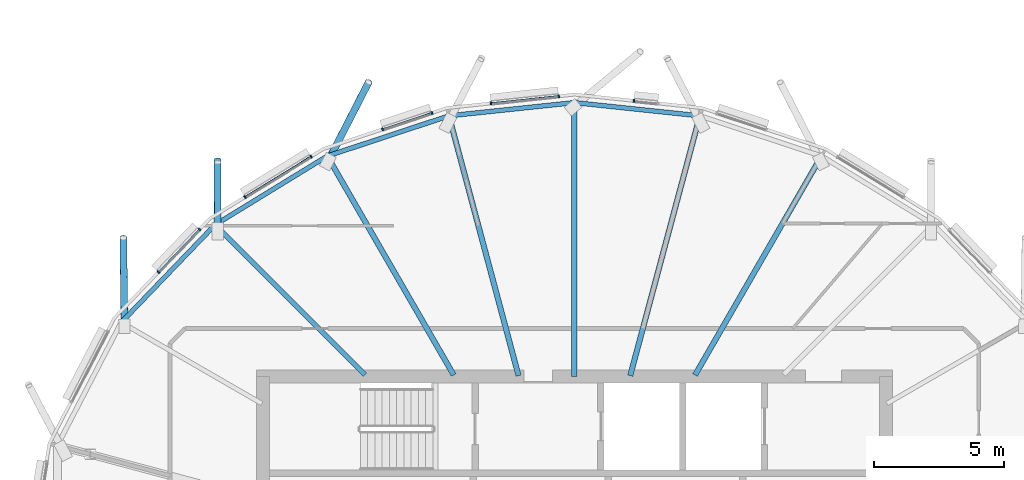
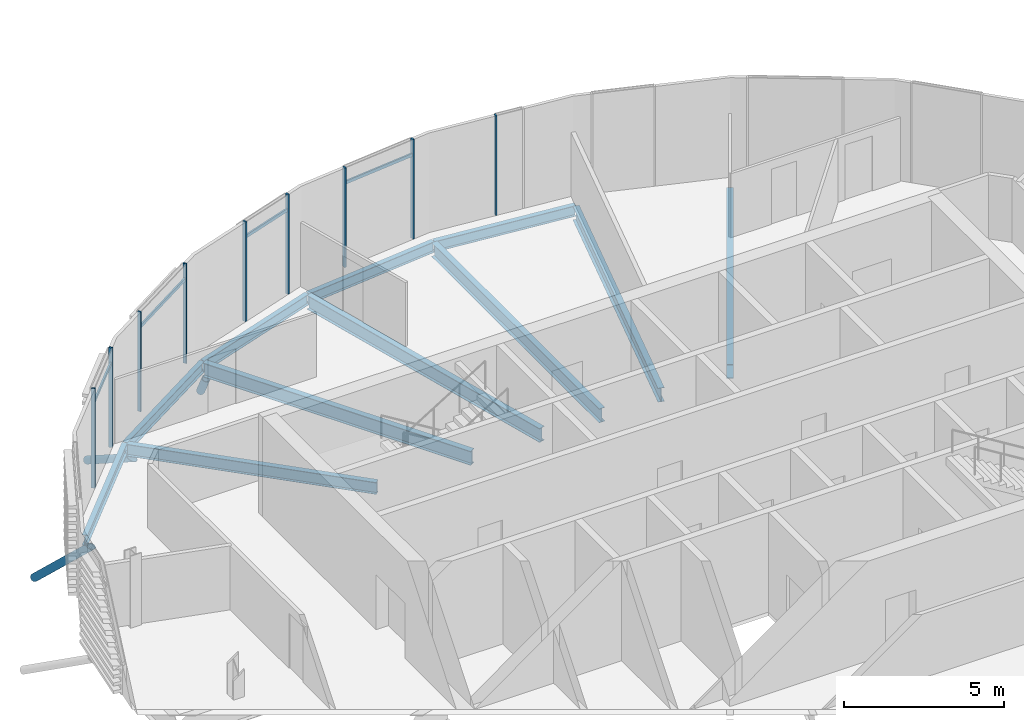
# One storey, part 7 of 38: 16 members, 11 beams, 1 element without a shape of its own.
"""IFC4 building model written with IfcOpenShell, lengths in metres."""

from ifc_helpers import new_model, si_unit, direction, frame, origin, origin_2d, place, context, subcontext, project, spatial, rectangle, hollow_circle, i_section, extrude, clip, halfspace, material, material_profile, profile_set, type_object, element, aggregate, save


model = new_model("IFC4")

# Units and contexts
model_context = context("Model", 3, precision=1e-05, world=origin(), true_north=direction((0.0, 1.0)))
body_context = subcontext(model_context, "Body", "Model", "MODEL_VIEW")
ifc_project = project(units=[si_unit("LENGTHUNIT", "METRE"), si_unit("AREAUNIT", "SQUARE_METRE"), si_unit("VOLUMEUNIT", "CUBIC_METRE"), si_unit("PLANEANGLEUNIT", "RADIAN"), si_unit("MASSUNIT", "GRAM", prefix="KILO")], contexts=[model_context])

# Site, building, storey
site_placement = place(None, origin())
site = spatial("IfcSite", under=ifc_project, at=site_placement, CompositionType="ELEMENT")
building_placement = place(site_placement, origin())
building = spatial("IfcBuilding", under=site, at=building_placement, Name="Rimbun Link Towers", CompositionType="ELEMENT")
storey_placement = place(building_placement, frame((0.0, 0.0, 218.10009765625)))
storey = spatial("IfcBuildingStorey", under=building, at=storey_placement, Name="L53", CompositionType="ELEMENT", Elevation=218.10009765625)

# Curtain wall, members
ifc_material_1 = material(Name="Aluminium 6063-T6 and low-iron glass", Category="aluminium")
curtain_wall_type = type_object("IfcCurtainWallType", Name="CW1-Z4 unitised vision wall (zone 4)", PredefinedType="NOTDEFINED", material=ifc_material_1)
curtain_wall_placement = place(storey_placement, origin())
curtain_wall = element("IfcCurtainWall", 1, at=curtain_wall_placement, inside=storey, type_object=curtain_wall_type, Name="CW1 L53 T1", PredefinedType="NOTDEFINED")
ifc_material_2 = material(Name="Aluminium 6063-T6", Category="aluminium")
ifc_material_profile_1 = material_profile(ifc_material_2, rectangle(XDim=0.1201171875, YDim=0.06005859375, at=origin_2d()), Name="MULLION 60X120")
ifc_profile_set_1 = profile_set([ifc_material_profile_1], Name="Aluminium 6063-T6")
member_type_1 = type_object("IfcMemberType", Name="CW1 mullion 60X120", PredefinedType="MULLION", material=ifc_profile_set_1)
member_1_placement = place(storey_placement, frame((-29.456298828125, 18.62255859375, 0.0), z_axis=(0.0, 0.0, 1.0), x_axis=(0.104722816932, 0.994501448774, 0.0)))
member_1 = element("IfcMember", 2, at=member_1_placement, type_object=member_type_1, Name="CW1 mullion", PredefinedType="MULLION", context=body_context, shape_type="SweptSolid", body=[
    extrude(rectangle(XDim=0.1201171875, YDim=0.06005859375, at=origin_2d()), origin(), (0.0, 0.0, 1.0), 3.7998046875),
])
member_2_placement = place(storey_placement, frame((-34.9658203125, 18.525390625, 0.0), z_axis=(0.0, 0.0, 1.0), x_axis=(-0.104722816932, 0.994501448774, 0.0)))
member_2 = element("IfcMember", 3, at=member_2_placement, type_object=member_type_1, Name="CW1 mullion", PredefinedType="MULLION", context=body_context, shape_type="SweptSolid", body=[
    extrude(rectangle(XDim=0.1201171875, YDim=0.06005859375, at=origin_2d()), origin(), (0.0, 0.0, 1.0), 3.7998046875),
])
member_3_placement = place(storey_placement, frame((-32.35302734375, 18.800537109375, 0.0), z_axis=(0.0, 0.0, 1.0), x_axis=(-0.104722816932, 0.994501448774, 0.0)))
member_3 = element("IfcMember", 4, at=member_3_placement, type_object=member_type_1, Name="CW1 mullion", PredefinedType="MULLION", context=body_context, shape_type="SweptSolid", body=[
    extrude(rectangle(XDim=0.1201171875, YDim=0.06005859375, at=origin_2d()), origin(), (0.0, 0.0, 1.0), 3.7998046875),
])
member_4_placement = place(storey_placement, frame((-39.140380859375, 17.525634765625, 0.0), z_axis=(0.0, 0.0, 1.0), x_axis=(-0.314578449635, 0.949231478105, 0.0)))
member_4 = element("IfcMember", 5, at=member_4_placement, type_object=member_type_1, Name="CW1 mullion", PredefinedType="MULLION", context=body_context, shape_type="SweptSolid", body=[
    extrude(rectangle(XDim=0.1201171875, YDim=0.06005859375, at=origin_2d()), origin(), (0.0, 0.0, 1.0), 3.7998046875),
])
member_5_placement = place(storey_placement, frame((-37.238525390625, 18.156005859375, 0.0), z_axis=(0.0, 0.0, 1.0), x_axis=(-0.314578449635, 0.949231478105, 0.0)))
member_5 = element("IfcMember", 6, at=member_5_placement, type_object=member_type_1, Name="CW1 mullion", PredefinedType="MULLION", context=body_context, shape_type="SweptSolid", body=[
    extrude(rectangle(XDim=0.1201171875, YDim=0.06005859375, at=origin_2d()), origin(), (0.0, 0.0, 1.0), 3.7998046875),
])
member_6_placement = place(storey_placement, frame((-44.4443359375, 14.914794921875, 0.0), z_axis=(0.0, 0.0, 1.0), x_axis=(-0.523242195727, 0.852184020392, 0.0)))
member_6 = element("IfcMember", 7, at=member_6_placement, type_object=member_type_1, Name="CW1 mullion", PredefinedType="MULLION", context=body_context, shape_type="SweptSolid", body=[
    extrude(rectangle(XDim=0.1201171875, YDim=0.06005859375, at=origin_2d()), origin(), (0.0, 0.0, 1.0), 3.7998046875),
])
member_7_placement = place(storey_placement, frame((-41.89990234375, 16.47705078125, 0.0), z_axis=(0.0, 0.0, 1.0), x_axis=(-0.523242195727, 0.852184020392, 0.0)))
member_7 = element("IfcMember", 8, at=member_7_placement, type_object=member_type_1, Name="CW1 mullion", PredefinedType="MULLION", context=body_context, shape_type="SweptSolid", body=[
    extrude(rectangle(XDim=0.1201171875, YDim=0.06005859375, at=origin_2d()), origin(), (0.0, 0.0, 1.0), 3.7998046875),
])
member_8_placement = place(storey_placement, frame((-47.78271484375, 12.0205078125, 0.0), z_axis=(0.0, 0.0, 1.0), x_axis=(-0.721846446019, 0.692053255443, 0.0)))
member_8 = element("IfcMember", 9, at=member_8_placement, type_object=member_type_1, Name="CW1 mullion", PredefinedType="MULLION", context=body_context, shape_type="SweptSolid", body=[
    extrude(rectangle(XDim=0.1201171875, YDim=0.06005859375, at=origin_2d()), origin(), (0.0, 0.0, 1.0), 3.7998046875),
])
member_9_placement = place(storey_placement, frame((-46.200439453125, 13.6708984375, 0.0), z_axis=(0.0, 0.0, 1.0), x_axis=(-0.721846446019, 0.692053255443, 0.0)))
member_9 = element("IfcMember", 10, at=member_9_placement, type_object=member_type_1, Name="CW1 mullion", PredefinedType="MULLION", context=body_context, shape_type="SweptSolid", body=[
    extrude(rectangle(XDim=0.1201171875, YDim=0.06005859375, at=origin_2d()), origin(), (0.0, 0.0, 1.0), 3.7998046875),
])
ifc_material_3 = material(Name="Aluminium 6063-T6", Category="aluminium")
ifc_material_profile_2 = material_profile(ifc_material_3, rectangle(XDim=0.06005859375, YDim=0.1201171875, at=origin_2d()), Name="TRANSOM 60X120")
ifc_profile_set_2 = profile_set([ifc_material_profile_2], Name="Aluminium 6063-T6")
member_type_2 = type_object("IfcMemberType", Name="CW1 transom 60X120", PredefinedType="USERDEFINED", material=ifc_profile_set_2)
member_10_placement = place(storey_placement, frame((-34.935791015625, 18.526611328125, 3.199951171875), z_axis=(0.994503889604, 0.104699634964, 0.0), x_axis=(-0.104699634964, 0.994503889604, 0.0)))
member_10 = element("IfcMember", 11, at=member_10_placement, type_object=member_type_2, Name="CW1 transom", ObjectType="TRANSOM", PredefinedType="USERDEFINED", context=body_context, shape_type="SweptSolid", body=[
    extrude(rectangle(XDim=0.06005859375, YDim=0.1201171875, at=origin_2d()), origin(), (0.0, 0.0, 1.0), 2.5673828125),
])
member_11_placement = place(storey_placement, frame((-39.111328125, 17.533203125, 3.199951171875), z_axis=(0.949247034783, 0.314531503916, 0.0), x_axis=(-0.314531503916, 0.949247034783, 0.0)))
member_11 = element("IfcMember", 12, at=member_11_placement, type_object=member_type_2, Name="CW1 transom", ObjectType="TRANSOM", PredefinedType="USERDEFINED", context=body_context, shape_type="SweptSolid", body=[
    extrude(rectangle(XDim=0.06005859375, YDim=0.1201171875, at=origin_2d()), origin(), (0.0, 0.0, 1.0), 1.943603515625),
])
member_12_placement = place(storey_placement, frame((-44.417724609375, 14.9287109375, 3.199951171875), z_axis=(0.852176447693, 0.523254528883, 0.0), x_axis=(-0.523254528883, 0.852176447693, 0.0)))
member_12 = element("IfcMember", 13, at=member_12_placement, type_object=member_type_2, Name="CW1 transom", ObjectType="TRANSOM", PredefinedType="USERDEFINED", context=body_context, shape_type="SweptSolid", body=[
    extrude(rectangle(XDim=0.06005859375, YDim=0.1201171875, at=origin_2d()), origin(), (0.0, 0.0, 1.0), 2.926025390625),
])
member_13_placement = place(storey_placement, frame((-47.760498046875, 12.040771484375, 3.199951171875), z_axis=(0.692036343125, 0.721862659925, 0.0), x_axis=(-0.721862659925, 0.692036343125, 0.0)))
member_13 = element("IfcMember", 14, at=member_13_placement, type_object=member_type_2, Name="CW1 transom", ObjectType="TRANSOM", PredefinedType="USERDEFINED", context=body_context, shape_type="SweptSolid", body=[
    extrude(rectangle(XDim=0.06005859375, YDim=0.1201171875, at=origin_2d()), origin(), (0.0, 0.0, 1.0), 2.226318359375),
])
aggregate(curtain_wall, [member_1, member_2, member_3, member_4, member_5, member_6, member_7, member_8, member_9, member_10, member_11, member_12, member_13])

# Members
ifc_material_4 = material(Name="Steel S355J2H", Category="steel")
ifc_material_profile_3 = material_profile(ifc_material_4, hollow_circle(Radius=0.136474609375, WallThickness=0.012451171875, at=origin_2d()), Name="CHS 273x12.5")
ifc_profile_set_3 = profile_set([ifc_material_profile_3], Name="Steel S355J2H")
member_type_3 = type_object("IfcMemberType", Name="Floor edge link CHS 273x12.5", PredefinedType="BRACE", material=ifc_profile_set_3)
member_14_placement = place(storey_placement, frame((-41.201904296875, 16.37109375, -0.7783203125), z_axis=(0.350539374697, 0.682437802129, -0.641405326617), x_axis=(-0.889514924711, 0.456906115867, 0.0)))
element("IfcMember", 15, at=member_14_placement, inside=storey, type_object=member_type_3, Name="Floor edge link T1 L53 08", PredefinedType="BRACE", context=body_context, shape_type="Clipping", body=[
    clip(extrude(hollow_circle(Radius=0.136474609375, WallThickness=0.012451171875, at=origin_2d()), frame((0.0, 0.0, -0.342041015625)), (0.0, 0.0, 1.0), 4.703369140625), halfspace(frame((0.0, 0.0, -0.160888671875), z_axis=(0.0, 0.767202194332, -0.641405326617)), False)),
])
member_15_placement = place(storey_placement, frame((-45.495361328125, 13.745361328125, -0.70849609375), z_axis=(-0.000394961689, 0.843085222112, -0.537779836235), x_axis=(-0.999999890267, -0.000468471793, 0.0)))
element("IfcMember", 16, at=member_15_placement, inside=storey, type_object=member_type_3, Name="Floor edge link T1 L53 09", PredefinedType="BRACE", context=body_context, shape_type="Clipping", body=[
    clip(extrude(hollow_circle(Radius=0.136474609375, WallThickness=0.012451171875, at=origin_2d()), frame((0.0, 0.0, -0.446533203125)), (0.0, 0.0, 1.0), 3.537353515625), halfspace(frame((0.0, 0.0, -0.210205078125), z_axis=(0.0, 0.843085314626, -0.537779836235)), False)),
])
member_16_placement = place(storey_placement, frame((-49.09033203125, 10.011474609375, -0.5947265625), z_axis=(-0.009020005367, 0.725792078943, -0.687854997545), x_axis=(-0.999922783726, -0.012426849421, 0.0)))
element("IfcMember", 17, at=member_16_placement, inside=storey, type_object=member_type_3, Name="Floor edge link T1 L53 10", PredefinedType="BRACE", context=body_context, shape_type="Clipping", body=[
    clip(extrude(hollow_circle(Radius=0.136474609375, WallThickness=0.012451171875, at=origin_2d()), frame((0.0, 0.0, -0.302490234375)), (0.0, 0.0, 1.0), 4.90380859375), halfspace(frame((0.0, 0.0, -0.141845703125), z_axis=(0.0, 0.725848126231, -0.687854997545)), False)),
])

# Beams
ifc_material_5 = material(Name="Steel S355J2", Category="steel")
ifc_material_profile_4 = material_profile(ifc_material_5, i_section(OverallWidth=0.177978515625, OverallDepth=0.406494140625, WebThickness=0.0078125, FlangeThickness=0.0126953125, at=origin_2d()), Name="UB 406x178x60")
ifc_profile_set_4 = profile_set([ifc_material_profile_4], Name="Steel S355J2")
beam_type_1 = type_object("IfcBeamType", Name="UB 406x178x60", PredefinedType="BEAM", material=ifc_profile_set_4)
for number, where, z_axis, x_axis, name in (
    (18, (-26.92578125, 18.044189453125, -0.34326171875), (-0.994497988624, 0.104755671081, 0.0), (-0.104755671081, -0.994497988624, 0.0), "Edge beam T1 L53 05"),
    (19, (-31.76025390625, 18.55126953125, -0.34326171875), (-0.994497988624, -0.104755671081, 0.0), (0.104755671081, -0.994497988624, 0.0), "Edge beam T1 L53 06"),
):
    element("IfcBeam", number, at=place(storey_placement, frame(where, z_axis=z_axis, x_axis=x_axis)), inside=storey, type_object=beam_type_1, Name=name, PredefinedType="BEAM", context=body_context, shape_type="SweptSolid", body=[
        extrude(i_section(OverallWidth=0.177978515625, OverallDepth=0.406494140625, WebThickness=0.0078125, FlangeThickness=0.0126953125, at=origin_2d()), origin(), (0.0, 0.0, 1.0), 4.840576171875),
    ])
beam_1_placement = place(storey_placement, frame((-36.5947265625, 18.039794921875, -0.34326171875), z_axis=(-0.94940105913, -0.314066281097, 0.0), x_axis=(0.314066281097, -0.94940105913, 0.0)))
element("IfcBeam", 20, at=beam_1_placement, inside=storey, type_object=beam_type_1, Name="Edge beam T1 L53 07", PredefinedType="BEAM", context=body_context, shape_type="SweptSolid", body=[
    extrude(i_section(OverallWidth=0.177978515625, OverallDepth=0.406494140625, WebThickness=0.0078125, FlangeThickness=0.0126953125, at=origin_2d()), origin(), (0.0, 0.0, 1.0), 4.915283203125),
])
beam_2_placement = place(storey_placement, frame((-41.281494140625, 16.48681640625, -0.34326171875), z_axis=(-0.852713194974, -0.522379370876, 0.0), x_axis=(0.522379370876, -0.852713194974, 0.0)))
element("IfcBeam", 21, at=beam_2_placement, inside=storey, type_object=beam_type_1, Name="Edge beam T1 L53 08", PredefinedType="BEAM", context=body_context, shape_type="SweptSolid", body=[
    extrude(i_section(OverallWidth=0.177978515625, OverallDepth=0.406494140625, WebThickness=0.0078125, FlangeThickness=0.0126953125, at=origin_2d()), origin(), (0.0, 0.0, 1.0), 5.045654296875),
])
beam_3_placement = place(storey_placement, frame((-45.603271484375, 13.835693359375, -0.34326171875), z_axis=(-0.69303073453, -0.720908039209, 0.0), x_axis=(0.720908039209, -0.69303073453, 0.0)))
element("IfcBeam", 22, at=beam_3_placement, inside=storey, type_object=beam_type_1, Name="Edge beam T1 L53 09", PredefinedType="BEAM", context=body_context, shape_type="SweptSolid", body=[
    extrude(i_section(OverallWidth=0.177978515625, OverallDepth=0.406494140625, WebThickness=0.0078125, FlangeThickness=0.0126953125, at=origin_2d()), origin(), (0.0, 0.0, 1.0), 5.193359375),
])
ifc_material_6 = material(Name="Steel S355J2", Category="steel")
ifc_material_profile_5 = material_profile(ifc_material_6, i_section(OverallWidth=0.18994140625, OverallDepth=0.453369140625, WebThickness=0.008544921875, FlangeThickness=0.0126953125, at=origin_2d()), Name="UB 457x191x67")
ifc_profile_set_5 = profile_set([ifc_material_profile_5], Name="Steel S355J2")
beam_type_2 = type_object("IfcBeamType", Name="UB 457x191x67", PredefinedType="BEAM", material=ifc_profile_set_5)
beam_4_placement = place(storey_placement, frame((-39.81787109375, 8.06787109375, -0.36669921875), z_axis=(-0.707106781187, 0.707106781187, 0.0), x_axis=(-0.707106781187, -0.707106781187, 0.0)))
element("IfcBeam", 23, at=beam_4_placement, inside=storey, type_object=beam_type_2, Name="Radial beam T1 L53 09", PredefinedType="BEAM", context=body_context, shape_type="SweptSolid", body=[
    extrude(i_section(OverallWidth=0.18994140625, OverallDepth=0.453369140625, WebThickness=0.008544921875, FlangeThickness=0.0126953125, at=origin_2d()), origin(), (0.0, 0.0, 1.0), 8.079345703125),
])
ifc_material_7 = material(Name="Steel S355J2", Category="steel")
ifc_material_profile_6 = material_profile(ifc_material_7, i_section(OverallWidth=0.209228515625, OverallDepth=0.533203125, WebThickness=0.010009765625, FlangeThickness=0.015625, at=origin_2d()), Name="UB 533x210x92")
ifc_profile_set_6 = profile_set([ifc_material_profile_6], Name="Steel S355J2")
beam_type_3 = type_object("IfcBeamType", Name="UB 533x210x92", PredefinedType="BEAM", material=ifc_profile_set_6)
beam_5_placement = place(storey_placement, frame((-27.1005859375, 8.05322265625, -0.406494140625), z_axis=(0.500009204569, 0.866020089459, 0.0), x_axis=(-0.866020089459, 0.500009204569, 0.0)))
element("IfcBeam", 24, at=beam_5_placement, inside=storey, type_object=beam_type_3, Name="Radial beam T1 L53 04", PredefinedType="BEAM", context=body_context, shape_type="SweptSolid", body=[
    extrude(i_section(OverallWidth=0.209228515625, OverallDepth=0.533203125, WebThickness=0.010009765625, FlangeThickness=0.015625, at=origin_2d()), origin(), (0.0, 0.0, 1.0), 9.654541015625),
])
beam_6_placement = place(storey_placement, frame((-29.598876953125, 8.028076171875, -0.406494140625), z_axis=(0.258809696013, 0.965928331321, 0.0), x_axis=(-0.965928331321, 0.258809696013, 0.0)))
element("IfcBeam", 25, at=beam_6_placement, inside=storey, type_object=beam_type_3, Name="Radial beam T1 L53 05", PredefinedType="BEAM", context=body_context, shape_type="SweptSolid", body=[
    extrude(i_section(OverallWidth=0.209228515625, OverallDepth=0.533203125, WebThickness=0.010009765625, FlangeThickness=0.015625, at=origin_2d()), origin(), (0.0, 0.0, 1.0), 10.2783203125),
])
beam_7_placement = place(storey_placement, frame((-31.75, 8.0009765625, -0.406494140625), z_axis=(0.0, 1.0, 0.0), x_axis=(-1.0, 0.0, 0.0)))
element("IfcBeam", 26, at=beam_7_placement, inside=storey, type_object=beam_type_3, Name="Radial beam T1 L53 06", PredefinedType="BEAM", context=body_context, shape_type="SweptSolid", body=[
    extrude(i_section(OverallWidth=0.209228515625, OverallDepth=0.533203125, WebThickness=0.010009765625, FlangeThickness=0.015625, at=origin_2d()), origin(), (0.0, 0.0, 1.0), 10.46142578125),
])
beam_8_placement = place(storey_placement, frame((-33.901123046875, 8.028076171875, -0.406494140625), z_axis=(-0.258809696013, 0.965928331321, 0.0), x_axis=(-0.965928331321, -0.258809696013, 0.0)))
element("IfcBeam", 27, at=beam_8_placement, inside=storey, type_object=beam_type_3, Name="Radial beam T1 L53 07", PredefinedType="BEAM", context=body_context, shape_type="SweptSolid", body=[
    extrude(i_section(OverallWidth=0.209228515625, OverallDepth=0.533203125, WebThickness=0.010009765625, FlangeThickness=0.015625, at=origin_2d()), origin(), (0.0, 0.0, 1.0), 10.2783203125),
])
beam_9_placement = place(storey_placement, frame((-36.3994140625, 8.05322265625, -0.406494140625), z_axis=(-0.500009204569, 0.866020089459, 0.0), x_axis=(-0.866020089459, -0.500009204569, 0.0)))
element("IfcBeam", 28, at=beam_9_placement, inside=storey, type_object=beam_type_3, Name="Radial beam T1 L53 08", PredefinedType="BEAM", context=body_context, shape_type="SweptSolid", body=[
    extrude(i_section(OverallWidth=0.209228515625, OverallDepth=0.533203125, WebThickness=0.010009765625, FlangeThickness=0.015625, at=origin_2d()), origin(), (0.0, 0.0, 1.0), 9.654541015625),
])

save(model, "model.ifc")
